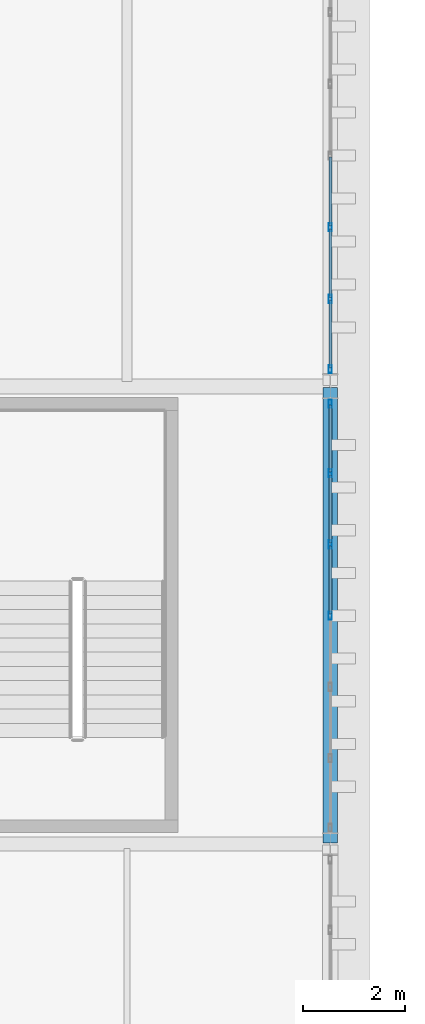
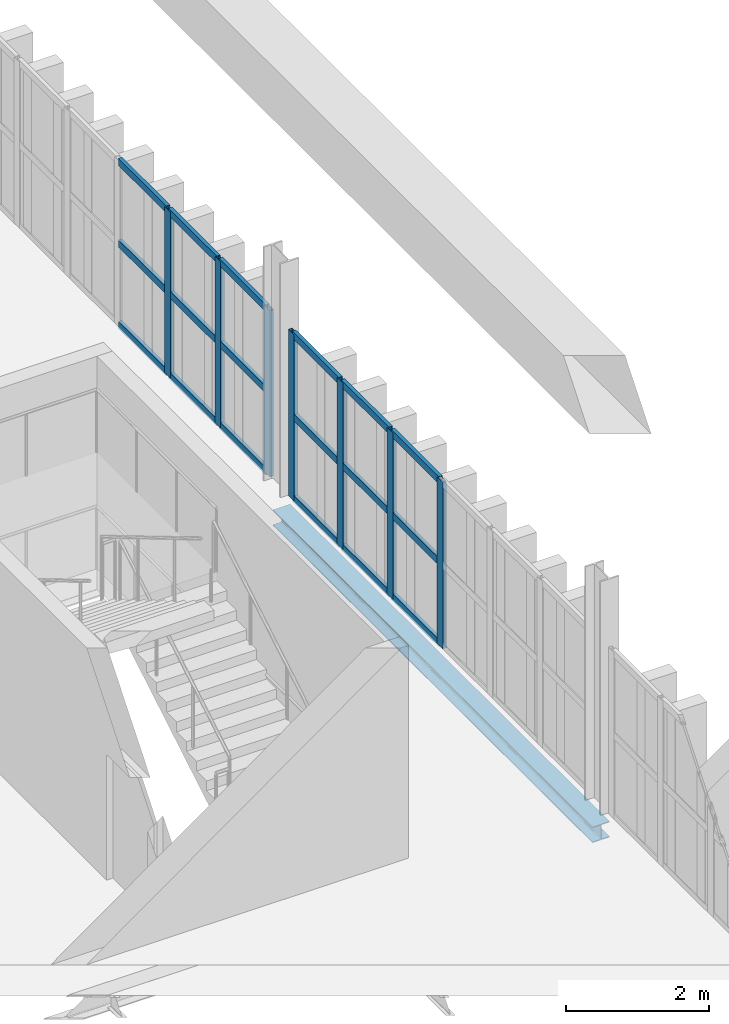
# One storey, part 50 of 102: 25 members, 1 beam, 2 elements without a shape of their own.
"""IFC4 building model written with IfcOpenShell, lengths in metres."""

from ifc_helpers import new_model, si_unit, direction, frame, origin, origin_2d, place, context, subcontext, project, spatial, hollow_rectangle, i_section, extrude, material, layer, layer_set, material_profile, profile_set, type_object, element, aggregate, save


model = new_model("IFC4")

# Units and contexts
model_context = context("Model", 3, precision=1e-05, world=origin(), true_north=direction((0.0, 1.0)))
body_context = subcontext(model_context, "Body", "Model", "MODEL_VIEW")
ifc_project = project(units=[si_unit("LENGTHUNIT", "METRE"), si_unit("AREAUNIT", "SQUARE_METRE"), si_unit("VOLUMEUNIT", "CUBIC_METRE"), si_unit("PLANEANGLEUNIT", "RADIAN"), si_unit("MASSUNIT", "GRAM", prefix="KILO")], contexts=[model_context])

# Site, building, storey
site_placement = place(None, origin())
site = spatial("IfcSite", under=ifc_project, at=site_placement, CompositionType="ELEMENT")
building_placement = place(site_placement, origin())
building = spatial("IfcBuilding", under=site, at=building_placement, Name="Barlavento Convention Centre", CompositionType="ELEMENT")
storey_placement = place(building_placement, frame((0.0, 0.0, 22.800048828125)))
storey = spatial("IfcBuildingStorey", under=building, at=storey_placement, Name="L04", CompositionType="ELEMENT", Elevation=22.800048828125)

# Curtain wall, members
ifc_material_1 = material(Name="Powder-coated aluminium and Low-E glass", Category="aluminium")
ifc_layer = layer(ifc_material_1, 0.18505859375)
ifc_layer_set = layer_set([ifc_layer], Name="ARC-CW-CONF-L04")
curtain_wall_type = type_object("IfcCurtainWallType", Name="ARC-CW-CONF-L04", PredefinedType="NOTDEFINED", material=ifc_layer_set)
curtain_wall_1_placement = place(storey_placement, origin())
curtain_wall_1 = element("IfcCurtainWall", 1, at=curtain_wall_1_placement, inside=storey, type_object=curtain_wall_type, Name="L04 unitised curtain wall CW09", PredefinedType="NOTDEFINED")
ifc_material_2 = material(Name="Powder-coated aluminium", Category="aluminium")
ifc_material_profile_1 = material_profile(ifc_material_2, hollow_rectangle(XDim=0.06005859375, YDim=0.159912109375, WallThickness=0.00390625, at=origin_2d()), Name="AL-MULL 60x160x4")
ifc_profile_set_1 = profile_set([ifc_material_profile_1], Name="Powder-coated aluminium")
member_type_1 = type_object("IfcMemberType", Name="ARC-CWM-60X160", PredefinedType="MULLION", material=ifc_profile_set_1)
member_1_placement = place(storey_placement, frame((192.0, 40.487548828125, 0.0), z_axis=(0.0, 0.0, 1.0), x_axis=(-1.0, 0.0, 0.0)))
member_1 = element("IfcMember", 2, at=member_1_placement, type_object=member_type_1, Name="CW09 mullion 4", PredefinedType="MULLION", context=body_context, shape_type="SweptSolid", body=[
    extrude(hollow_rectangle(XDim=0.06005859375, YDim=0.159912109375, WallThickness=0.00390625, at=origin_2d()), origin(), (0.0, 0.0, 1.0), 2.849853515625),
])
member_2_placement = place(storey_placement, frame((192.0, 41.888427734375, 0.0), z_axis=(0.0, 0.0, 1.0), x_axis=(-1.0, 0.0, 0.0)))
member_2 = element("IfcMember", 3, at=member_2_placement, type_object=member_type_1, Name="CW09 mullion 5", PredefinedType="MULLION", context=body_context, shape_type="SweptSolid", body=[
    extrude(hollow_rectangle(XDim=0.06005859375, YDim=0.159912109375, WallThickness=0.00390625, at=origin_2d()), origin(), (0.0, 0.0, 1.0), 2.849853515625),
])
member_3_placement = place(storey_placement, frame((192.0, 43.2890625, 0.0), z_axis=(0.0, 0.0, 1.0), x_axis=(-1.0, 0.0, 0.0)))
member_3 = element("IfcMember", 4, at=member_3_placement, type_object=member_type_1, Name="CW09 mullion 6", PredefinedType="MULLION", context=body_context, shape_type="SweptSolid", body=[
    extrude(hollow_rectangle(XDim=0.06005859375, YDim=0.159912109375, WallThickness=0.00390625, at=origin_2d()), origin(), (0.0, 0.0, 1.0), 2.849853515625),
])
member_4_placement = place(storey_placement, frame((192.0, 44.659912109375, 0.0), z_axis=(0.0, 0.0, 1.0), x_axis=(-1.0, 0.0, 0.0)))
member_4 = element("IfcMember", 5, at=member_4_placement, type_object=member_type_1, Name="CW09 mullion 7", PredefinedType="MULLION", context=body_context, shape_type="SweptSolid", body=[
    extrude(hollow_rectangle(XDim=0.06005859375, YDim=0.159912109375, WallThickness=0.00390625, at=origin_2d()), origin(), (0.0, 0.0, 1.0), 2.849853515625),
])

curtain_wall_2_placement = place(storey_placement, origin())
curtain_wall_2 = element("IfcCurtainWall", 6, at=curtain_wall_2_placement, inside=storey, type_object=curtain_wall_type, Name="L04 unitised curtain wall CW09", PredefinedType="NOTDEFINED")
member_5_placement = place(storey_placement, frame((192.0, 45.340087890625, 0.0), z_axis=(0.0, 0.0, 1.0), x_axis=(-1.0, 0.0, 0.0)))
member_5 = element("IfcMember", 7, at=member_5_placement, type_object=member_type_1, Name="CW09 mullion 1", PredefinedType="MULLION", context=body_context, shape_type="SweptSolid", body=[
    extrude(hollow_rectangle(XDim=0.06005859375, YDim=0.159912109375, WallThickness=0.00390625, at=origin_2d()), origin(), (0.0, 0.0, 1.0), 2.849853515625),
])
member_6_placement = place(storey_placement, frame((192.0, 46.719970703125, 0.0), z_axis=(0.0, 0.0, 1.0), x_axis=(-1.0, 0.0, 0.0)))
member_6 = element("IfcMember", 8, at=member_6_placement, type_object=member_type_1, Name="CW09 mullion 2", PredefinedType="MULLION", context=body_context, shape_type="SweptSolid", body=[
    extrude(hollow_rectangle(XDim=0.06005859375, YDim=0.159912109375, WallThickness=0.00390625, at=origin_2d()), origin(), (0.0, 0.0, 1.0), 2.849853515625),
])
member_7_placement = place(storey_placement, frame((192.0, 48.1298828125, 0.0), z_axis=(0.0, 0.0, 1.0), x_axis=(-1.0, 0.0, 0.0)))
member_7 = element("IfcMember", 9, at=member_7_placement, type_object=member_type_1, Name="CW09 mullion 3", PredefinedType="MULLION", context=body_context, shape_type="SweptSolid", body=[
    extrude(hollow_rectangle(XDim=0.06005859375, YDim=0.159912109375, WallThickness=0.00390625, at=origin_2d()), origin(), (0.0, 0.0, 1.0), 2.849853515625),
])

# Member
ifc_material_profile_2 = material_profile(ifc_material_2, hollow_rectangle(XDim=0.06005859375, YDim=0.1201171875, WallThickness=0.00390625, at=origin_2d()), Name="AL-TRAN 60x120x4")
ifc_profile_set_2 = profile_set([ifc_material_profile_2], Name="Powder-coated aluminium")
member_type_2 = type_object("IfcMemberType", Name="ARC-CWT-60X120", PredefinedType="USERDEFINED", material=ifc_profile_set_2)
member_8_placement = place(storey_placement, frame((192.0, 40.517578125, 0.030029296875), z_axis=(0.0, 1.0, 0.0), x_axis=(-1.0, 0.0, 0.0)))
member_8 = element("IfcMember", 10, at=member_8_placement, type_object=member_type_2, Name="CW09 transom 4.1", ObjectType="TRANSOM", PredefinedType="USERDEFINED", context=body_context, shape_type="SweptSolid", body=[
    extrude(hollow_rectangle(XDim=0.06005859375, YDim=0.1201171875, WallThickness=0.00390625, at=origin_2d()), origin(), (0.0, 0.0, 1.0), 1.3408203125),
])

member_9_placement = place(storey_placement, frame((192.0, 40.517578125, 1.425048828125), z_axis=(0.0, 1.0, 0.0), x_axis=(-1.0, 0.0, 0.0)))
member_9 = element("IfcMember", 11, at=member_9_placement, type_object=member_type_2, Name="CW09 transom 4.2", ObjectType="TRANSOM", PredefinedType="USERDEFINED", context=body_context, shape_type="SweptSolid", body=[
    extrude(hollow_rectangle(XDim=0.06005859375, YDim=0.1201171875, WallThickness=0.00390625, at=origin_2d()), origin(), (0.0, 0.0, 1.0), 1.3408203125),
])

member_10_placement = place(storey_placement, frame((192.0, 40.517578125, 2.820068359375), z_axis=(0.0, 1.0, 0.0), x_axis=(-1.0, 0.0, 0.0)))
member_10 = element("IfcMember", 12, at=member_10_placement, type_object=member_type_2, Name="CW09 transom 4.3", ObjectType="TRANSOM", PredefinedType="USERDEFINED", context=body_context, shape_type="SweptSolid", body=[
    extrude(hollow_rectangle(XDim=0.06005859375, YDim=0.1201171875, WallThickness=0.00390625, at=origin_2d()), origin(), (0.0, 0.0, 1.0), 1.3408203125),
])

member_11_placement = place(storey_placement, frame((192.0, 41.918212890625, 0.030029296875), z_axis=(0.0, 1.0, 0.0), x_axis=(-1.0, 0.0, 0.0)))
member_11 = element("IfcMember", 13, at=member_11_placement, type_object=member_type_2, Name="CW09 transom 5.1", ObjectType="TRANSOM", PredefinedType="USERDEFINED", context=body_context, shape_type="SweptSolid", body=[
    extrude(hollow_rectangle(XDim=0.06005859375, YDim=0.1201171875, WallThickness=0.00390625, at=origin_2d()), origin(), (0.0, 0.0, 1.0), 1.341064453125),
])

member_12_placement = place(storey_placement, frame((192.0, 41.918212890625, 1.425048828125), z_axis=(0.0, 1.0, 0.0), x_axis=(-1.0, 0.0, 0.0)))
member_12 = element("IfcMember", 14, at=member_12_placement, type_object=member_type_2, Name="CW09 transom 5.2", ObjectType="TRANSOM", PredefinedType="USERDEFINED", context=body_context, shape_type="SweptSolid", body=[
    extrude(hollow_rectangle(XDim=0.06005859375, YDim=0.1201171875, WallThickness=0.00390625, at=origin_2d()), origin(), (0.0, 0.0, 1.0), 1.341064453125),
])

member_13_placement = place(storey_placement, frame((192.0, 41.918212890625, 2.820068359375), z_axis=(0.0, 1.0, 0.0), x_axis=(-1.0, 0.0, 0.0)))
member_13 = element("IfcMember", 15, at=member_13_placement, type_object=member_type_2, Name="CW09 transom 5.3", ObjectType="TRANSOM", PredefinedType="USERDEFINED", context=body_context, shape_type="SweptSolid", body=[
    extrude(hollow_rectangle(XDim=0.06005859375, YDim=0.1201171875, WallThickness=0.00390625, at=origin_2d()), origin(), (0.0, 0.0, 1.0), 1.341064453125),
])

member_14_placement = place(storey_placement, frame((192.0, 43.319091796875, 0.030029296875), z_axis=(0.0, 1.0, 0.0), x_axis=(-1.0, 0.0, 0.0)))
member_14 = element("IfcMember", 16, at=member_14_placement, type_object=member_type_2, Name="CW09 transom 6.1", ObjectType="TRANSOM", PredefinedType="USERDEFINED", context=body_context, shape_type="SweptSolid", body=[
    extrude(hollow_rectangle(XDim=0.06005859375, YDim=0.1201171875, WallThickness=0.00390625, at=origin_2d()), origin(), (0.0, 0.0, 1.0), 1.310791015625),
])

member_15_placement = place(storey_placement, frame((192.0, 43.319091796875, 1.425048828125), z_axis=(0.0, 1.0, 0.0), x_axis=(-1.0, 0.0, 0.0)))
member_15 = element("IfcMember", 17, at=member_15_placement, type_object=member_type_2, Name="CW09 transom 6.2", ObjectType="TRANSOM", PredefinedType="USERDEFINED", context=body_context, shape_type="SweptSolid", body=[
    extrude(hollow_rectangle(XDim=0.06005859375, YDim=0.1201171875, WallThickness=0.00390625, at=origin_2d()), origin(), (0.0, 0.0, 1.0), 1.310791015625),
])

member_16_placement = place(storey_placement, frame((192.0, 43.319091796875, 2.820068359375), z_axis=(0.0, 1.0, 0.0), x_axis=(-1.0, 0.0, 0.0)))
member_16 = element("IfcMember", 18, at=member_16_placement, type_object=member_type_2, Name="CW09 transom 6.3", ObjectType="TRANSOM", PredefinedType="USERDEFINED", context=body_context, shape_type="SweptSolid", body=[
    extrude(hollow_rectangle(XDim=0.06005859375, YDim=0.1201171875, WallThickness=0.00390625, at=origin_2d()), origin(), (0.0, 0.0, 1.0), 1.310791015625),
])

aggregate(curtain_wall_1, [member_1, member_2, member_3, member_4, member_8, member_9, member_10, member_11, member_12, member_13, member_14, member_15, member_16])

member_17_placement = place(storey_placement, frame((192.0, 45.3701171875, 0.030029296875), z_axis=(0.0, 1.0, 0.0), x_axis=(-1.0, 0.0, 0.0)))
member_17 = element("IfcMember", 19, at=member_17_placement, type_object=member_type_2, Name="CW09 transom 1.1", ObjectType="TRANSOM", PredefinedType="USERDEFINED", context=body_context, shape_type="SweptSolid", body=[
    extrude(hollow_rectangle(XDim=0.06005859375, YDim=0.1201171875, WallThickness=0.00390625, at=origin_2d()), origin(), (0.0, 0.0, 1.0), 1.31982421875),
])

member_18_placement = place(storey_placement, frame((192.0, 45.3701171875, 1.425048828125), z_axis=(0.0, 1.0, 0.0), x_axis=(-1.0, 0.0, 0.0)))
member_18 = element("IfcMember", 20, at=member_18_placement, type_object=member_type_2, Name="CW09 transom 1.2", ObjectType="TRANSOM", PredefinedType="USERDEFINED", context=body_context, shape_type="SweptSolid", body=[
    extrude(hollow_rectangle(XDim=0.06005859375, YDim=0.1201171875, WallThickness=0.00390625, at=origin_2d()), origin(), (0.0, 0.0, 1.0), 1.31982421875),
])

member_19_placement = place(storey_placement, frame((192.0, 45.3701171875, 2.820068359375), z_axis=(0.0, 1.0, 0.0), x_axis=(-1.0, 0.0, 0.0)))
member_19 = element("IfcMember", 21, at=member_19_placement, type_object=member_type_2, Name="CW09 transom 1.3", ObjectType="TRANSOM", PredefinedType="USERDEFINED", context=body_context, shape_type="SweptSolid", body=[
    extrude(hollow_rectangle(XDim=0.06005859375, YDim=0.1201171875, WallThickness=0.00390625, at=origin_2d()), origin(), (0.0, 0.0, 1.0), 1.31982421875),
])

member_20_placement = place(storey_placement, frame((192.0, 46.75, 0.030029296875), z_axis=(0.0, 1.0, 0.0), x_axis=(-1.0, 0.0, 0.0)))
member_20 = element("IfcMember", 22, at=member_20_placement, type_object=member_type_2, Name="CW09 transom 2.1", ObjectType="TRANSOM", PredefinedType="USERDEFINED", context=body_context, shape_type="SweptSolid", body=[
    extrude(hollow_rectangle(XDim=0.06005859375, YDim=0.1201171875, WallThickness=0.00390625, at=origin_2d()), origin(), (0.0, 0.0, 1.0), 1.35009765625),
])

member_21_placement = place(storey_placement, frame((192.0, 46.75, 1.425048828125), z_axis=(0.0, 1.0, 0.0), x_axis=(-1.0, 0.0, 0.0)))
member_21 = element("IfcMember", 23, at=member_21_placement, type_object=member_type_2, Name="CW09 transom 2.2", ObjectType="TRANSOM", PredefinedType="USERDEFINED", context=body_context, shape_type="SweptSolid", body=[
    extrude(hollow_rectangle(XDim=0.06005859375, YDim=0.1201171875, WallThickness=0.00390625, at=origin_2d()), origin(), (0.0, 0.0, 1.0), 1.35009765625),
])

member_22_placement = place(storey_placement, frame((192.0, 46.75, 2.820068359375), z_axis=(0.0, 1.0, 0.0), x_axis=(-1.0, 0.0, 0.0)))
member_22 = element("IfcMember", 24, at=member_22_placement, type_object=member_type_2, Name="CW09 transom 2.3", ObjectType="TRANSOM", PredefinedType="USERDEFINED", context=body_context, shape_type="SweptSolid", body=[
    extrude(hollow_rectangle(XDim=0.06005859375, YDim=0.1201171875, WallThickness=0.00390625, at=origin_2d()), origin(), (0.0, 0.0, 1.0), 1.35009765625),
])

member_23_placement = place(storey_placement, frame((192.0, 48.159912109375, 0.030029296875), z_axis=(0.0, 1.0, 0.0), x_axis=(-1.0, 0.0, 0.0)))
member_23 = element("IfcMember", 25, at=member_23_placement, type_object=member_type_2, Name="CW09 transom 3.1", ObjectType="TRANSOM", PredefinedType="USERDEFINED", context=body_context, shape_type="SweptSolid", body=[
    extrude(hollow_rectangle(XDim=0.06005859375, YDim=0.1201171875, WallThickness=0.00390625, at=origin_2d()), origin(), (0.0, 0.0, 1.0), 1.35009765625),
])

member_24_placement = place(storey_placement, frame((192.0, 48.159912109375, 1.425048828125), z_axis=(0.0, 1.0, 0.0), x_axis=(-1.0, 0.0, 0.0)))
member_24 = element("IfcMember", 26, at=member_24_placement, type_object=member_type_2, Name="CW09 transom 3.2", ObjectType="TRANSOM", PredefinedType="USERDEFINED", context=body_context, shape_type="SweptSolid", body=[
    extrude(hollow_rectangle(XDim=0.06005859375, YDim=0.1201171875, WallThickness=0.00390625, at=origin_2d()), origin(), (0.0, 0.0, 1.0), 1.35009765625),
])

member_25_placement = place(storey_placement, frame((192.0, 48.159912109375, 2.820068359375), z_axis=(0.0, 1.0, 0.0), x_axis=(-1.0, 0.0, 0.0)))
member_25 = element("IfcMember", 27, at=member_25_placement, type_object=member_type_2, Name="CW09 transom 3.3", ObjectType="TRANSOM", PredefinedType="USERDEFINED", context=body_context, shape_type="SweptSolid", body=[
    extrude(hollow_rectangle(XDim=0.06005859375, YDim=0.1201171875, WallThickness=0.00390625, at=origin_2d()), origin(), (0.0, 0.0, 1.0), 1.35009765625),
])

aggregate(curtain_wall_2, [member_5, member_6, member_7, member_17, member_18, member_19, member_20, member_21, member_22, member_23, member_24, member_25])

# Beam
ifc_material_3 = material(Name="Steel S355", Category="steel")
ifc_material_profile_3 = material_profile(ifc_material_3, i_section(OverallWidth=0.280029296875, OverallDepth=0.27001953125, WebThickness=0.008056640625, FlangeThickness=0.012939453125, FilletRadius=0.02392578125, at=origin_2d()), Name="HEA 280")
ifc_profile_set_3 = profile_set([ifc_material_profile_3], Name="Steel S355")
beam_type = type_object("IfcBeamType", Name="STR-BM-SPN-HEA280", PredefinedType="SPANDREL", material=ifc_profile_set_3)
beam_placement = place(storey_placement, frame((192.0, 36.02001953125, -0.485107421875), z_axis=(0.0, 1.0, 0.0), x_axis=(-1.0, 0.0, 0.0)))
element("IfcBeam", 28, at=beam_placement, inside=storey, type_object=beam_type, Name="L04 grid girder SP03", PredefinedType="SPANDREL", context=body_context, shape_type="SweptSolid", body=[
    extrude(i_section(OverallWidth=0.280029296875, OverallDepth=0.27001953125, WebThickness=0.008056640625, FlangeThickness=0.012939453125, FilletRadius=0.02392578125, at=origin_2d()), origin(), (0.0, 0.0, 1.0), 8.9599609375),
])

save(model, "model.ifc")
